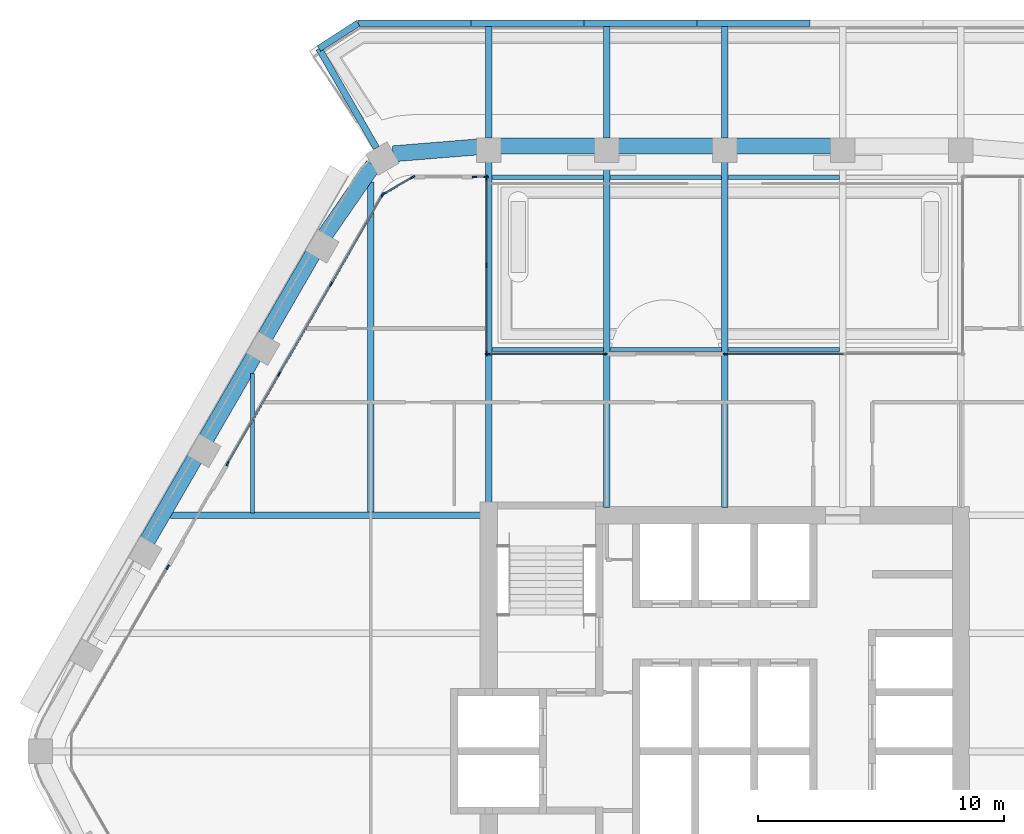
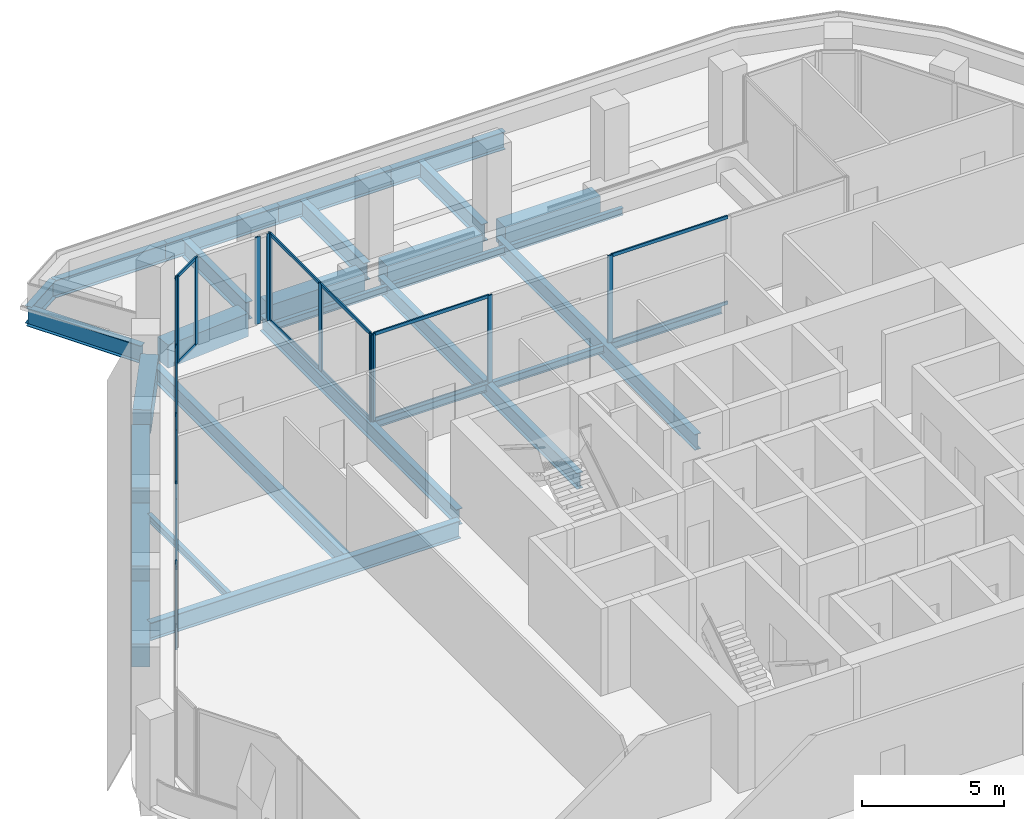
# One storey, part 6 of 17: 31 members, 29 beams, 7 elements without a shape of their own.
"""IFC4 building model written with IfcOpenShell, lengths in metres."""

from ifc_helpers import new_model, si_unit, direction, frame, origin, origin_2d, place, context, subcontext, project, spatial, rectangle, i_section, extrude, material, material_profile, profile_set, type_object, element, aggregate, save


model = new_model("IFC4")

# Units and contexts
model_context = context("Model", 3, precision=1e-05, world=origin(), true_north=direction((0.0, 1.0)))
body_context = subcontext(model_context, "Body", "Model", "MODEL_VIEW")
ifc_project = project(units=[si_unit("LENGTHUNIT", "METRE"), si_unit("AREAUNIT", "SQUARE_METRE"), si_unit("VOLUMEUNIT", "CUBIC_METRE"), si_unit("PLANEANGLEUNIT", "RADIAN"), si_unit("MASSUNIT", "GRAM", prefix="KILO")], contexts=[model_context])

# Site, building, storey
site_placement = place(None, origin())
site = spatial("IfcSite", under=ifc_project, at=site_placement, CompositionType="ELEMENT")
building_placement = place(site_placement, origin())
building = spatial("IfcBuilding", under=site, at=building_placement, Name="Kolab Exchange Tower", CompositionType="ELEMENT")
storey_placement = place(building_placement, frame((0.0, 0.0, 166.10009765625)))
storey = spatial("IfcBuildingStorey", under=building, at=storey_placement, Name="L34", CompositionType="ELEMENT", Elevation=166.10009765625)

# Beams
ifc_material_1 = material(Name="Steel S355", Category="steel")
ifc_material_profile_1 = material_profile(ifc_material_1, i_section(OverallWidth=0.1650390625, OverallDepth=0.31005859375, WebThickness=0.005859375, FlangeThickness=0.009765625, at=origin_2d()), Name="W310X39")
ifc_profile_set_1 = profile_set([ifc_material_profile_1], Name="Steel S355")
beam_type_1 = type_object("IfcBeamType", Name="FLOOR BEAM W310X39", PredefinedType="BEAM", material=ifc_profile_set_1)
beam_1_placement = place(storey_placement, frame((-19.199951171875, 9.693603515625, -0.30517578125), z_axis=(0.0, 1.0, 0.0), x_axis=(-1.0, 0.0, 0.0)))
element("IfcBeam", 1, at=beam_1_placement, inside=storey, type_object=beam_type_1, Name="beam/L34/fr/004", PredefinedType="BEAM", context=body_context, shape_type="SweptSolid", body=[
    extrude(i_section(OverallWidth=0.1650390625, OverallDepth=0.31005859375, WebThickness=0.005859375, FlangeThickness=0.009765625, at=origin_2d()), origin(), (0.0, 0.0, 1.0), 5.674072265625),
])
for number, where, z_axis, x_axis, name in (
    (2, (-9.472900390625, 16.346435546875, -0.30517578125), (1.0, 0.0, 0.0), (0.0, 1.0, 0.0), "beam/L34/fr/009"),
    (3, (-9.472900390625, 23.33642578125, -0.30517578125), (1.0, 0.0, 0.0), (0.0, 1.0, 0.0), "beam/L34/fr/010"),
):
    element("IfcBeam", number, at=place(storey_placement, frame(where, z_axis=z_axis, x_axis=x_axis)), inside=storey, type_object=beam_type_1, Name=name, PredefinedType="BEAM", context=body_context, shape_type="SweptSolid", body=[
        extrude(i_section(OverallWidth=0.1650390625, OverallDepth=0.31005859375, WebThickness=0.005859375, FlangeThickness=0.009765625, at=origin_2d()), origin(), (0.0, 0.0, 1.0), 4.5458984375),
    ])
for number, where, z_axis, x_axis, name in (
    (4, (-4.673095703125, 16.346435546875, -0.30517578125), (1.0, 0.0, 0.0), (0.0, 1.0, 0.0), "beam/L34/fr/013"),
    (5, (-4.673095703125, 23.33642578125, -0.30517578125), (1.0, 0.0, 0.0), (0.0, 1.0, 0.0), "beam/L34/fr/014"),
    (6, (0.126953125, 16.346435546875, -0.30517578125), (1.0, 0.0, 0.0), (0.0, 1.0, 0.0), "beam/L34/fr/017"),
    (7, (0.126953125, 23.33642578125, -0.30517578125), (1.0, 0.0, 0.0), (0.0, 1.0, 0.0), "beam/L34/fr/018"),
):
    element("IfcBeam", number, at=place(storey_placement, frame(where, z_axis=z_axis, x_axis=x_axis)), inside=storey, type_object=beam_type_1, Name=name, PredefinedType="BEAM", context=body_context, shape_type="SweptSolid", body=[
        extrude(i_section(OverallWidth=0.1650390625, OverallDepth=0.31005859375, WebThickness=0.005859375, FlangeThickness=0.009765625, at=origin_2d()), origin(), (0.0, 0.0, 1.0), 4.546142578125),
    ])
ifc_material_profile_2 = material_profile(ifc_material_1, i_section(OverallWidth=0.25390625, OverallDepth=0.68408203125, WebThickness=0.012451171875, FlangeThickness=0.018798828125, at=origin_2d()), Name="W690X140")
ifc_profile_set_2 = profile_set([ifc_material_profile_2], Name="Steel S355")
beam_type_2 = type_object("IfcBeamType", Name="FLOOR BEAM W690X140", PredefinedType="BEAM", material=ifc_profile_set_2)
beam_2_placement = place(storey_placement, frame((-14.39990234375, 9.693603515625, -0.4921875), z_axis=(0.0, 1.0, 0.0), x_axis=(-1.0, 0.0, 0.0)))
element("IfcBeam", 8, at=beam_2_placement, inside=storey, type_object=beam_type_2, Name="beam/L34/fr/006", PredefinedType="BEAM", context=body_context, shape_type="SweptSolid", body=[
    extrude(i_section(OverallWidth=0.25390625, OverallDepth=0.68408203125, WebThickness=0.012451171875, FlangeThickness=0.018798828125, at=origin_2d()), origin(), (0.0, 0.0, 1.0), 13.462158203125),
])
beam_3_placement = place(storey_placement, frame((-9.60009765625, 10.110107421875, -0.4921875), z_axis=(0.0, 1.0, 0.0), x_axis=(-1.0, 0.0, 0.0)))
element("IfcBeam", 9, at=beam_3_placement, inside=storey, type_object=beam_type_2, Name="beam/L34/fr/008", PredefinedType="BEAM", context=body_context, shape_type="SweptSolid", body=[
    extrude(i_section(OverallWidth=0.25390625, OverallDepth=0.68408203125, WebThickness=0.012451171875, FlangeThickness=0.018798828125, at=origin_2d()), origin(), (0.0, 0.0, 1.0), 13.871337890625),
])
for number, where, z_axis, x_axis, name in (
    (10, (-4.800048828125, 9.909912109375, -0.4921875), (0.0, 1.0, 0.0), (-1.0, 0.0, 0.0), "beam/L34/fr/012"),
    (11, (0.0, 9.909912109375, -0.4921875), (0.0, 1.0, 0.0), (-1.0, 0.0, 0.0), "beam/L34/fr/016"),
):
    element("IfcBeam", number, at=place(storey_placement, frame(where, z_axis=z_axis, x_axis=x_axis)), inside=storey, type_object=beam_type_2, Name=name, PredefinedType="BEAM", context=body_context, shape_type="SweptSolid", body=[
        extrude(i_section(OverallWidth=0.25390625, OverallDepth=0.68408203125, WebThickness=0.012451171875, FlangeThickness=0.018798828125, at=origin_2d()), origin(), (0.0, 0.0, 1.0), 14.071533203125),
    ])
ifc_material_profile_3 = material_profile(ifc_material_1, i_section(OverallWidth=0.26708984375, OverallDepth=0.761962890625, WebThickness=0.014404296875, FlangeThickness=0.021484375, at=origin_2d()), Name="W760X173")
ifc_profile_set_3 = profile_set([ifc_material_profile_3], Name="Steel S355")
beam_type_3 = type_object("IfcBeamType", Name="FLOOR GIRDER W760X173", PredefinedType="BEAM", material=ifc_profile_set_3)
beam_4_placement = place(storey_placement, frame((-22.546875, 9.60009765625, -0.531005859375), z_axis=(1.0, 0.0, 0.0), x_axis=(0.0, 1.0, 0.0)))
element("IfcBeam", 12, at=beam_4_placement, inside=storey, type_object=beam_type_3, Name="beam/L34/gd/001", PredefinedType="BEAM", context=body_context, shape_type="SweptSolid", body=[
    extrude(i_section(OverallWidth=0.26708984375, OverallDepth=0.761962890625, WebThickness=0.014404296875, FlangeThickness=0.021484375, at=origin_2d()), origin(), (0.0, 0.0, 1.0), 12.636962890625),
])
beam_5_placement = place(storey_placement, frame((-14.16796875, 24.53955078125, -0.591064453125), z_axis=(-0.500004747635, 0.866022662719, 0.0), x_axis=(-0.866022662719, -0.500004747635, 0.0)))
element("IfcBeam", 13, at=beam_5_placement, inside=storey, type_object=beam_type_3, Name="beam/L34/ledge/rib-00", PredefinedType="BEAM", context=body_context, shape_type="SweptSolid", body=[
    extrude(i_section(OverallWidth=0.26708984375, OverallDepth=0.761962890625, WebThickness=0.014404296875, FlangeThickness=0.021484375, at=origin_2d()), origin(), (0.0, 0.0, 1.0), 4.66650390625),
])
for number, where, z_axis, x_axis, name in (
    (14, (-9.60009765625, 24.94140625, -0.591064453125), (0.0, 1.0, 0.0), (-1.0, 0.0, 0.0), "beam/L34/ledge/rib-01"),
    (15, (-4.800048828125, 24.94140625, -0.591064453125), (0.0, 1.0, 0.0), (-1.0, 0.0, 0.0), "beam/L34/ledge/rib-02"),
    (16, (0.0, 24.94140625, -0.591064453125), (0.0, 1.0, 0.0), (-1.0, 0.0, 0.0), "beam/L34/ledge/rib-03"),
):
    element("IfcBeam", number, at=place(storey_placement, frame(where, z_axis=z_axis, x_axis=x_axis)), inside=storey, type_object=beam_type_3, Name=name, PredefinedType="BEAM", context=body_context, shape_type="SweptSolid", body=[
        extrude(i_section(OverallWidth=0.26708984375, OverallDepth=0.761962890625, WebThickness=0.014404296875, FlangeThickness=0.021484375, at=origin_2d()), origin(), (0.0, 0.0, 1.0), 4.533203125),
    ])
beam_6_placement = place(storey_placement, frame((-16.501220703125, 28.5810546875, -0.591064453125), z_axis=(0.839981802732, 0.542614569542, 0.0), x_axis=(-0.542614569542, 0.839981802732, 0.0)))
element("IfcBeam", 17, at=beam_6_placement, inside=storey, type_object=beam_type_3, Name="beam/L34/ledge/edge-00", PredefinedType="BEAM", context=body_context, shape_type="SweptSolid", body=[
    extrude(i_section(OverallWidth=0.26708984375, OverallDepth=0.761962890625, WebThickness=0.014404296875, FlangeThickness=0.021484375, at=origin_2d()), origin(), (0.0, 0.0, 1.0), 1.892333984375),
])
beam_7_placement = place(storey_placement, frame((-14.91162109375, 29.60791015625, -0.591064453125), z_axis=(1.0, 0.0, 0.0), x_axis=(0.0, 1.0, 0.0)))
element("IfcBeam", 18, at=beam_7_placement, inside=storey, type_object=beam_type_3, Name="beam/L34/ledge/edge-01", PredefinedType="BEAM", context=body_context, shape_type="SweptSolid", body=[
    extrude(i_section(OverallWidth=0.26708984375, OverallDepth=0.761962890625, WebThickness=0.014404296875, FlangeThickness=0.021484375, at=origin_2d()), origin(), (0.0, 0.0, 1.0), 4.593505859375),
])
for number, where, z_axis, x_axis, name in (
    (19, (-10.318115234375, 29.60791015625, -0.591064453125), (1.0, 0.0, 0.0), (0.0, 1.0, 0.0), "beam/L34/ledge/edge-02"),
    (20, (-5.724365234375, 29.60791015625, -0.591064453125), (1.0, 0.0, 0.0), (0.0, 1.0, 0.0), "beam/L34/ledge/edge-03"),
):
    element("IfcBeam", number, at=place(storey_placement, frame(where, z_axis=z_axis, x_axis=x_axis)), inside=storey, type_object=beam_type_3, Name=name, PredefinedType="BEAM", context=body_context, shape_type="SweptSolid", body=[
        extrude(i_section(OverallWidth=0.26708984375, OverallDepth=0.761962890625, WebThickness=0.014404296875, FlangeThickness=0.021484375, at=origin_2d()), origin(), (0.0, 0.0, 1.0), 4.59375),
    ])
beam_8_placement = place(storey_placement, frame((-1.130615234375, 29.60791015625, -0.591064453125), z_axis=(1.0, 0.0, 0.0), x_axis=(0.0, 1.0, 0.0)))
element("IfcBeam", 21, at=beam_8_placement, inside=storey, type_object=beam_type_3, Name="beam/L34/ledge/edge-04", PredefinedType="BEAM", context=body_context, shape_type="SweptSolid", body=[
    extrude(i_section(OverallWidth=0.26708984375, OverallDepth=0.761962890625, WebThickness=0.014404296875, FlangeThickness=0.021484375, at=origin_2d()), origin(), (0.0, 0.0, 1.0), 4.593505859375),
])
ifc_material_2 = material(Name="Concrete C60/75", Category="concrete")
ifc_material_profile_4 = material_profile(ifc_material_2, rectangle(XDim=0.64990234375, YDim=1.0, at=origin_2d()), Name="RC650X1000")
ifc_profile_set_4 = profile_set([ifc_material_profile_4], Name="Concrete C60/75")
beam_type_4 = type_object("IfcBeamType", Name="SPANDREL BEAM 650X1000 C60/75", PredefinedType="BEAM", material=ifc_profile_set_4)
beam_9_placement = place(storey_placement, frame((-13.493896484375, 24.2998046875, -0.650146484375), z_axis=(0.996708497182, 0.081068931445, 0.0), x_axis=(-0.081068931445, 0.996708497182, 0.0)))
element("IfcBeam", 22, at=beam_9_placement, inside=storey, type_object=beam_type_4, Name="beam/L34/sp/F1-01", PredefinedType="BEAM", context=body_context, shape_type="SweptSolid", body=[
    extrude(rectangle(XDim=0.64990234375, YDim=1.0, at=origin_2d()), origin(), (0.0, 0.0, 1.0), 3.445068359375),
])
beam_10_placement = place(storey_placement, frame((-9.139892578125, 24.616455078125, -0.650146484375), z_axis=(1.0, 0.0, 0.0), x_axis=(0.0, 1.0, 0.0)))
element("IfcBeam", 23, at=beam_10_placement, inside=storey, type_object=beam_type_4, Name="beam/L34/sp/F1-02", PredefinedType="BEAM", context=body_context, shape_type="SweptSolid", body=[
    extrude(rectangle(XDim=0.64990234375, YDim=1.0, at=origin_2d()), origin(), (0.0, 0.0, 1.0), 3.8798828125),
])
for number, where, z_axis, x_axis, name in (
    (24, (-4.340087890625, 24.616455078125, -0.650146484375), (1.0, 0.0, 0.0), (0.0, 1.0, 0.0), "beam/L34/sp/F1-03"),
    (25, (0.4599609375, 24.616455078125, -0.650146484375), (1.0, 0.0, 0.0), (0.0, 1.0, 0.0), "beam/L34/sp/F1-04"),
):
    element("IfcBeam", number, at=place(storey_placement, frame(where, z_axis=z_axis, x_axis=x_axis)), inside=storey, type_object=beam_type_4, Name=name, PredefinedType="BEAM", context=body_context, shape_type="SweptSolid", body=[
        extrude(rectangle(XDim=0.64990234375, YDim=1.0, at=origin_2d()), origin(), (0.0, 0.0, 1.0), 3.880126953125),
    ])
beam_11_placement = place(storey_placement, frame((-23.488525390625, 8.5498046875, -0.650146484375), z_axis=(0.499996613652, 0.866027358884, 0.0), x_axis=(-0.866027358884, 0.499996613652, 0.0)))
element("IfcBeam", 26, at=beam_11_placement, inside=storey, type_object=beam_type_4, Name="beam/L34/sp/F6-03", PredefinedType="BEAM", context=body_context, shape_type="SweptSolid", body=[
    extrude(rectangle(XDim=0.64990234375, YDim=1.0, at=origin_2d()), origin(), (0.0, 0.0, 1.0), 3.8798828125),
])
beam_12_placement = place(storey_placement, frame((-21.088623046875, 12.70654296875, -0.650146484375), z_axis=(0.50001655835, 0.866015843605, 0.0), x_axis=(-0.866015843605, 0.50001655835, 0.0)))
element("IfcBeam", 27, at=beam_12_placement, inside=storey, type_object=beam_type_4, Name="beam/L34/sp/F6-04", PredefinedType="BEAM", context=body_context, shape_type="SweptSolid", body=[
    extrude(rectangle(XDim=0.64990234375, YDim=1.0, at=origin_2d()), origin(), (0.0, 0.0, 1.0), 3.880126953125),
])
beam_13_placement = place(storey_placement, frame((-18.6884765625, 16.863525390625, -0.650146484375), z_axis=(0.499996613652, 0.866027358884, 0.0), x_axis=(-0.866027358884, 0.499996613652, 0.0)))
element("IfcBeam", 28, at=beam_13_placement, inside=storey, type_object=beam_type_4, Name="beam/L34/sp/F6-05", PredefinedType="BEAM", context=body_context, shape_type="SweptSolid", body=[
    extrude(rectangle(XDim=0.64990234375, YDim=1.0, at=origin_2d()), origin(), (0.0, 0.0, 1.0), 3.8798828125),
])
beam_14_placement = place(storey_placement, frame((-16.256103515625, 21.001953125, -0.650146484375), z_axis=(0.568572281073, 0.822633309073, 0.0), x_axis=(-0.822633309073, 0.568572281073, 0.0)))
element("IfcBeam", 29, at=beam_14_placement, inside=storey, type_object=beam_type_4, Name="beam/L34/sp/F6-06", PredefinedType="BEAM", context=body_context, shape_type="SweptSolid", body=[
    extrude(rectangle(XDim=0.64990234375, YDim=1.0, at=origin_2d()), origin(), (0.0, 0.0, 1.0), 3.445068359375),
])

# Curtain wall, members
ifc_material_3 = material(Name="Aluminium EN AW-6063 T6", Category="aluminium")
curtain_wall_type = type_object("IfcCurtainWallType", Name="UNITISED UPPER MID ZONE CURTAIN WALL", PredefinedType="NOTDEFINED", material=ifc_material_3)
curtain_wall_1_placement = place(storey_placement, origin())
curtain_wall_1 = element("IfcCurtainWall", 30, at=curtain_wall_1_placement, inside=storey, type_object=curtain_wall_type, Name="cw/L34/F1-l-1", PredefinedType="NOTDEFINED")
ifc_material_profile_5 = material_profile(ifc_material_3, rectangle(XDim=0.06005859375, YDim=0.199951171875, at=origin_2d()), Name="RECT 60X200")
ifc_profile_set_5 = profile_set([ifc_material_profile_5], Name="Aluminium EN AW-6063 T6")
member_type_1 = type_object("IfcMemberType", Name="UNITISED UPPER MID ZONE MULLION 60 X 200", PredefinedType="MULLION", material=ifc_profile_set_5)
member_1_placement = place(storey_placement, frame((-10.177978515625, 23.361572265625, 0.0), z_axis=(0.0, 0.0, 1.0), x_axis=(0.0, 1.0, 0.0)))
member_1 = element("IfcMember", 31, at=member_1_placement, type_object=member_type_1, Name="CW3 mullion 1", PredefinedType="MULLION", context=body_context, shape_type="SweptSolid", body=[
    extrude(rectangle(XDim=0.06005859375, YDim=0.199951171875, at=origin_2d()), origin(), (0.0, 0.0, 1.0), 3.75),
])
member_2_placement = place(storey_placement, frame((-9.7099609375, 23.361572265625, 0.0), z_axis=(0.0, 0.0, 1.0), x_axis=(0.0, 1.0, 0.0)))
member_2 = element("IfcMember", 32, at=member_2_placement, type_object=member_type_1, Name="CW3 mullion 2", PredefinedType="MULLION", context=body_context, shape_type="SweptSolid", body=[
    extrude(rectangle(XDim=0.06005859375, YDim=0.199951171875, at=origin_2d()), origin(), (0.0, 0.0, 1.0), 3.75),
])
aggregate(curtain_wall_1, [member_1, member_2])

curtain_wall_2_placement = place(storey_placement, origin())
curtain_wall_2 = element("IfcCurtainWall", 33, at=curtain_wall_2_placement, inside=storey, type_object=curtain_wall_type, Name="cw/L34/F1-rl-1", PredefinedType="NOTDEFINED")
member_3_placement = place(storey_placement, frame((-9.679931640625, 23.33154296875, 0.0), z_axis=(0.0, 0.0, 1.0), x_axis=(1.0, 0.0, 0.0)))
member_3 = element("IfcMember", 34, at=member_3_placement, type_object=member_type_1, Name="CW3 mullion 1", PredefinedType="MULLION", context=body_context, shape_type="SweptSolid", body=[
    extrude(rectangle(XDim=0.06005859375, YDim=0.199951171875, at=origin_2d()), origin(), (0.0, 0.0, 1.0), 3.75),
])
member_4_placement = place(storey_placement, frame((-9.679931640625, 19.761474609375, 0.0), z_axis=(0.0, 0.0, 1.0), x_axis=(1.0, 0.0, 0.0)))
member_4 = element("IfcMember", 35, at=member_4_placement, type_object=member_type_1, Name="CW3 mullion 2", PredefinedType="MULLION", context=body_context, shape_type="SweptSolid", body=[
    extrude(rectangle(XDim=0.06005859375, YDim=0.199951171875, at=origin_2d()), origin(), (0.0, 0.0, 1.0), 3.75),
])
member_5_placement = place(storey_placement, frame((-9.679931640625, 16.191650390625, 0.0), z_axis=(0.0, 0.0, 1.0), x_axis=(1.0, 0.0, 0.0)))
member_5 = element("IfcMember", 36, at=member_5_placement, type_object=member_type_1, Name="CW3 mullion 3", PredefinedType="MULLION", context=body_context, shape_type="SweptSolid", body=[
    extrude(rectangle(XDim=0.06005859375, YDim=0.199951171875, at=origin_2d()), origin(), (0.0, 0.0, 1.0), 3.75),
])

curtain_wall_3_placement = place(storey_placement, origin())
curtain_wall_3 = element("IfcCurtainWall", 37, at=curtain_wall_3_placement, inside=storey, type_object=curtain_wall_type, Name="cw/L34/F1-back-1", PredefinedType="NOTDEFINED")
member_6_placement = place(storey_placement, frame((-9.64990234375, 16.16162109375, 0.0), z_axis=(0.0, 0.0, 1.0), x_axis=(0.0, 1.0, 0.0)))
member_6 = element("IfcMember", 38, at=member_6_placement, type_object=member_type_1, Name="CW3 mullion 1", PredefinedType="MULLION", context=body_context, shape_type="SweptSolid", body=[
    extrude(rectangle(XDim=0.06005859375, YDim=0.199951171875, at=origin_2d()), origin(), (0.0, 0.0, 1.0), 3.75),
])
member_7_placement = place(storey_placement, frame((-4.8701171875, 16.16162109375, 0.0), z_axis=(0.0, 0.0, 1.0), x_axis=(0.0, 1.0, 0.0)))
member_7 = element("IfcMember", 39, at=member_7_placement, type_object=member_type_1, Name="CW3 mullion 2", PredefinedType="MULLION", context=body_context, shape_type="SweptSolid", body=[
    extrude(rectangle(XDim=0.06005859375, YDim=0.199951171875, at=origin_2d()), origin(), (0.0, 0.0, 1.0), 3.75),
])

# Curtain wall, member
curtain_wall_4_placement = place(storey_placement, origin())
curtain_wall_4 = element("IfcCurtainWall", 40, at=curtain_wall_4_placement, inside=storey, type_object=curtain_wall_type, Name="cw/L34/F1-back-2", PredefinedType="NOTDEFINED")
member_8_placement = place(storey_placement, frame((0.030029296875, 16.16162109375, 0.0), z_axis=(0.0, 0.0, 1.0), x_axis=(0.0, 1.0, 0.0)))
member_8 = element("IfcMember", 41, at=member_8_placement, type_object=member_type_1, Name="CW3 mullion 1", PredefinedType="MULLION", context=body_context, shape_type="SweptSolid", body=[
    extrude(rectangle(XDim=0.06005859375, YDim=0.199951171875, at=origin_2d()), origin(), (0.0, 0.0, 1.0), 3.75),
])

curtain_wall_5_placement = place(storey_placement, origin())
curtain_wall_5 = element("IfcCurtainWall", 42, at=curtain_wall_5_placement, inside=storey, type_object=curtain_wall_type, Name="cw/L34/F6-1", PredefinedType="NOTDEFINED")
member_9_placement = place(storey_placement, frame((-22.646728515625, 7.497802734375, 0.0), z_axis=(0.0, 0.0, 1.0), x_axis=(-0.866025440524, 0.499999936366, 0.0)))
member_9 = element("IfcMember", 43, at=member_9_placement, type_object=member_type_1, Name="CW3 mullion 3", PredefinedType="MULLION", context=body_context, shape_type="SweptSolid", body=[
    extrude(rectangle(XDim=0.06005859375, YDim=0.199951171875, at=origin_2d()), origin(), (0.0, 0.0, 1.0), 3.75),
])
aggregate(curtain_wall_5, [member_9])

# Curtain wall, members
curtain_wall_6_placement = place(storey_placement, origin())
curtain_wall_6 = element("IfcCurtainWall", 44, at=curtain_wall_6_placement, inside=storey, type_object=curtain_wall_type, Name="cw/L34/F6-2", PredefinedType="NOTDEFINED")
member_10_placement = place(storey_placement, frame((-20.216796875, 11.706787109375, 0.0), z_axis=(0.0, 0.0, 1.0), x_axis=(-0.866025393644, 0.500000017564, 0.0)))
member_10 = element("IfcMember", 45, at=member_10_placement, type_object=member_type_1, Name="CW3 mullion 1", PredefinedType="MULLION", context=body_context, shape_type="SweptSolid", body=[
    extrude(rectangle(XDim=0.06005859375, YDim=0.199951171875, at=origin_2d()), origin(), (0.0, 0.0, 1.0), 3.75),
])
member_11_placement = place(storey_placement, frame((-18.120361328125, 15.337646484375, 0.0), z_axis=(0.0, 0.0, 1.0), x_axis=(-0.866025393644, 0.500000017564, 0.0)))
member_11 = element("IfcMember", 46, at=member_11_placement, type_object=member_type_1, Name="CW3 mullion 2", PredefinedType="MULLION", context=body_context, shape_type="SweptSolid", body=[
    extrude(rectangle(XDim=0.06005859375, YDim=0.199951171875, at=origin_2d()), origin(), (0.0, 0.0, 1.0), 3.75),
])
member_12_placement = place(storey_placement, frame((-16.009033203125, 18.99462890625, 0.0), z_axis=(0.0, 0.0, 1.0), x_axis=(-0.866025393644, 0.500000017564, 0.0)))
member_12 = element("IfcMember", 47, at=member_12_placement, type_object=member_type_1, Name="CW3 mullion 3", PredefinedType="MULLION", context=body_context, shape_type="SweptSolid", body=[
    extrude(rectangle(XDim=0.06005859375, YDim=0.199951171875, at=origin_2d()), origin(), (0.0, 0.0, 1.0), 3.75),
])
member_13_placement = place(storey_placement, frame((-13.91259765625, 22.62548828125, 0.0), z_axis=(0.0, 0.0, 1.0), x_axis=(-0.866025393644, 0.500000017564, 0.0)))
member_13 = element("IfcMember", 48, at=member_13_placement, type_object=member_type_1, Name="CW3 mullion 4", PredefinedType="MULLION", context=body_context, shape_type="SweptSolid", body=[
    extrude(rectangle(XDim=0.06005859375, YDim=0.199951171875, at=origin_2d()), origin(), (0.0, 0.0, 1.0), 3.75),
])

curtain_wall_7_placement = place(storey_placement, origin())
curtain_wall_7 = element("IfcCurtainWall", 49, at=curtain_wall_7_placement, inside=storey, type_object=curtain_wall_type, Name="cw/L34/F6F1-corner", PredefinedType="NOTDEFINED")
member_14_placement = place(storey_placement, frame((-13.871826171875, 22.66650390625, 0.0), z_axis=(0.0, 0.0, 1.0), x_axis=(-0.50000002237, 0.866025390869, 0.0)))
member_14 = element("IfcMember", 50, at=member_14_placement, type_object=member_type_1, Name="CW3 mullion 1", PredefinedType="MULLION", context=body_context, shape_type="SweptSolid", body=[
    extrude(rectangle(XDim=0.06005859375, YDim=0.199951171875, at=origin_2d()), origin(), (0.0, 0.0, 1.0), 3.75),
])
member_15_placement = place(storey_placement, frame((-12.69384765625, 23.346435546875, 0.0), z_axis=(0.0, 0.0, 1.0), x_axis=(-0.50000002237, 0.866025390869, 0.0)))
member_15 = element("IfcMember", 51, at=member_15_placement, type_object=member_type_1, Name="CW3 mullion 2", PredefinedType="MULLION", context=body_context, shape_type="SweptSolid", body=[
    extrude(rectangle(XDim=0.06005859375, YDim=0.199951171875, at=origin_2d()), origin(), (0.0, 0.0, 1.0), 3.75),
])

# Member
ifc_material_profile_6 = material_profile(ifc_material_3, rectangle(XDim=0.06005859375, YDim=0.139892578125, at=origin_2d()), Name="RECT 60X140")
ifc_profile_set_6 = profile_set([ifc_material_profile_6], Name="Aluminium EN AW-6063 T6")
member_type_2 = type_object("IfcMemberType", Name="UNITISED UPPER MID ZONE TRANSOM 60 X 140", PredefinedType="USERDEFINED", material=ifc_profile_set_6)
member_16_placement = place(storey_placement, frame((-9.679931640625, 23.301513671875, 0.02978515625), z_axis=(0.0, -1.0, 0.0), x_axis=(1.0, 0.0, 0.0)))
member_16 = element("IfcMember", 52, at=member_16_placement, type_object=member_type_2, Name="CW3 transom 1.1", ObjectType="TRANSOM", PredefinedType="USERDEFINED", context=body_context, shape_type="SweptSolid", body=[
    extrude(rectangle(XDim=0.06005859375, YDim=0.139892578125, at=origin_2d()), origin(), (0.0, 0.0, 1.0), 3.510009765625),
])

member_17_placement = place(storey_placement, frame((-9.679931640625, 23.301513671875, 3.719970703125), z_axis=(0.0, -1.0, 0.0), x_axis=(1.0, 0.0, 0.0)))
member_17 = element("IfcMember", 53, at=member_17_placement, type_object=member_type_2, Name="CW3 transom 1.2", ObjectType="TRANSOM", PredefinedType="USERDEFINED", context=body_context, shape_type="SweptSolid", body=[
    extrude(rectangle(XDim=0.06005859375, YDim=0.139892578125, at=origin_2d()), origin(), (0.0, 0.0, 1.0), 3.510009765625),
])

member_18_placement = place(storey_placement, frame((-9.679931640625, 19.7314453125, 0.02978515625), z_axis=(0.0, -1.0, 0.0), x_axis=(1.0, 0.0, 0.0)))
member_18 = element("IfcMember", 54, at=member_18_placement, type_object=member_type_2, Name="CW3 transom 2.1", ObjectType="TRANSOM", PredefinedType="USERDEFINED", context=body_context, shape_type="SweptSolid", body=[
    extrude(rectangle(XDim=0.06005859375, YDim=0.139892578125, at=origin_2d()), origin(), (0.0, 0.0, 1.0), 3.510009765625),
])

member_19_placement = place(storey_placement, frame((-9.679931640625, 19.7314453125, 3.719970703125), z_axis=(0.0, -1.0, 0.0), x_axis=(1.0, 0.0, 0.0)))
member_19 = element("IfcMember", 55, at=member_19_placement, type_object=member_type_2, Name="CW3 transom 2.2", ObjectType="TRANSOM", PredefinedType="USERDEFINED", context=body_context, shape_type="SweptSolid", body=[
    extrude(rectangle(XDim=0.06005859375, YDim=0.139892578125, at=origin_2d()), origin(), (0.0, 0.0, 1.0), 3.510009765625),
])

aggregate(curtain_wall_2, [member_3, member_4, member_5, member_16, member_17, member_18, member_19])

member_20_placement = place(storey_placement, frame((-9.6201171875, 16.16162109375, 0.02978515625), z_axis=(1.0, 0.0, 0.0), x_axis=(0.0, 1.0, 0.0)))
member_20 = element("IfcMember", 56, at=member_20_placement, type_object=member_type_2, Name="CW3 transom 1.1", ObjectType="TRANSOM", PredefinedType="USERDEFINED", context=body_context, shape_type="SweptSolid", body=[
    extrude(rectangle(XDim=0.06005859375, YDim=0.139892578125, at=origin_2d()), origin(), (0.0, 0.0, 1.0), 4.72021484375),
])

member_21_placement = place(storey_placement, frame((-9.6201171875, 16.16162109375, 3.719970703125), z_axis=(1.0, 0.0, 0.0), x_axis=(0.0, 1.0, 0.0)))
member_21 = element("IfcMember", 57, at=member_21_placement, type_object=member_type_2, Name="CW3 transom 1.2", ObjectType="TRANSOM", PredefinedType="USERDEFINED", context=body_context, shape_type="SweptSolid", body=[
    extrude(rectangle(XDim=0.06005859375, YDim=0.139892578125, at=origin_2d()), origin(), (0.0, 0.0, 1.0), 4.72021484375),
])

aggregate(curtain_wall_3, [member_6, member_7, member_20, member_21])

member_22_placement = place(storey_placement, frame((0.06005859375, 16.16162109375, 0.02978515625), z_axis=(1.0, 0.0, 0.0), x_axis=(0.0, 1.0, 0.0)))
member_22 = element("IfcMember", 58, at=member_22_placement, type_object=member_type_2, Name="CW3 transom 1.1", ObjectType="TRANSOM", PredefinedType="USERDEFINED", context=body_context, shape_type="SweptSolid", body=[
    extrude(rectangle(XDim=0.06005859375, YDim=0.139892578125, at=origin_2d()), origin(), (0.0, 0.0, 1.0), 4.75),
])

member_23_placement = place(storey_placement, frame((0.06005859375, 16.16162109375, 3.719970703125), z_axis=(1.0, 0.0, 0.0), x_axis=(0.0, 1.0, 0.0)))
member_23 = element("IfcMember", 59, at=member_23_placement, type_object=member_type_2, Name="CW3 transom 1.2", ObjectType="TRANSOM", PredefinedType="USERDEFINED", context=body_context, shape_type="SweptSolid", body=[
    extrude(rectangle(XDim=0.06005859375, YDim=0.139892578125, at=origin_2d()), origin(), (0.0, 0.0, 1.0), 4.75),
])

aggregate(curtain_wall_4, [member_8, member_22, member_23])

member_24_placement = place(storey_placement, frame((-20.20166015625, 11.732666015625, 0.02978515625), z_axis=(0.500001996123, 0.866024251319, 0.0), x_axis=(-0.866024251319, 0.500001996123, 0.0)))
member_24 = element("IfcMember", 60, at=member_24_placement, type_object=member_type_2, Name="CW3 transom 1.1", ObjectType="TRANSOM", PredefinedType="USERDEFINED", context=body_context, shape_type="SweptSolid", body=[
    extrude(rectangle(XDim=0.06005859375, YDim=0.139892578125, at=origin_2d()), origin(), (0.0, 0.0, 1.0), 4.1328125),
])

member_25_placement = place(storey_placement, frame((-20.20166015625, 11.732666015625, 3.719970703125), z_axis=(0.500001996123, 0.866024251319, 0.0), x_axis=(-0.866024251319, 0.500001996123, 0.0)))
member_25 = element("IfcMember", 61, at=member_25_placement, type_object=member_type_2, Name="CW3 transom 1.2", ObjectType="TRANSOM", PredefinedType="USERDEFINED", context=body_context, shape_type="SweptSolid", body=[
    extrude(rectangle(XDim=0.06005859375, YDim=0.139892578125, at=origin_2d()), origin(), (0.0, 0.0, 1.0), 4.1328125),
])

member_26_placement = place(storey_placement, frame((-18.10546875, 15.36376953125, 0.02978515625), z_axis=(0.500037208726, 0.86600392025, 0.0), x_axis=(-0.86600392025, 0.500037208726, 0.0)))
member_26 = element("IfcMember", 62, at=member_26_placement, type_object=member_type_2, Name="CW3 transom 2.1", ObjectType="TRANSOM", PredefinedType="USERDEFINED", context=body_context, shape_type="SweptSolid", body=[
    extrude(rectangle(XDim=0.06005859375, YDim=0.139892578125, at=origin_2d()), origin(), (0.0, 0.0, 1.0), 4.162841796875),
])

member_27_placement = place(storey_placement, frame((-18.10546875, 15.36376953125, 3.719970703125), z_axis=(0.500037208726, 0.86600392025, 0.0), x_axis=(-0.86600392025, 0.500037208726, 0.0)))
member_27 = element("IfcMember", 63, at=member_27_placement, type_object=member_type_2, Name="CW3 transom 2.2", ObjectType="TRANSOM", PredefinedType="USERDEFINED", context=body_context, shape_type="SweptSolid", body=[
    extrude(rectangle(XDim=0.06005859375, YDim=0.139892578125, at=origin_2d()), origin(), (0.0, 0.0, 1.0), 4.162841796875),
])

member_28_placement = place(storey_placement, frame((-15.994140625, 19.0205078125, 0.02978515625), z_axis=(0.500001996123, 0.866024251319, 0.0), x_axis=(-0.866024251319, 0.500001996123, 0.0)))
member_28 = element("IfcMember", 64, at=member_28_placement, type_object=member_type_2, Name="CW3 transom 3.1", ObjectType="TRANSOM", PredefinedType="USERDEFINED", context=body_context, shape_type="SweptSolid", body=[
    extrude(rectangle(XDim=0.06005859375, YDim=0.139892578125, at=origin_2d()), origin(), (0.0, 0.0, 1.0), 4.1328125),
])

member_29_placement = place(storey_placement, frame((-15.994140625, 19.0205078125, 3.719970703125), z_axis=(0.500001996123, 0.866024251319, 0.0), x_axis=(-0.866024251319, 0.500001996123, 0.0)))
member_29 = element("IfcMember", 65, at=member_29_placement, type_object=member_type_2, Name="CW3 transom 3.2", ObjectType="TRANSOM", PredefinedType="USERDEFINED", context=body_context, shape_type="SweptSolid", body=[
    extrude(rectangle(XDim=0.06005859375, YDim=0.139892578125, at=origin_2d()), origin(), (0.0, 0.0, 1.0), 4.1328125),
])

aggregate(curtain_wall_6, [member_10, member_11, member_12, member_13, member_24, member_25, member_26, member_27, member_28, member_29])

member_30_placement = place(storey_placement, frame((-13.845703125, 22.681640625, 0.02978515625), z_axis=(0.86603858612, 0.49997716683, 0.0), x_axis=(-0.49997716683, 0.86603858612, 0.0)))
member_30 = element("IfcMember", 66, at=member_30_placement, type_object=member_type_2, Name="CW3 transom 1.1", ObjectType="TRANSOM", PredefinedType="USERDEFINED", context=body_context, shape_type="SweptSolid", body=[
    extrude(rectangle(XDim=0.06005859375, YDim=0.139892578125, at=origin_2d()), origin(), (0.0, 0.0, 1.0), 1.2998046875),
])

member_31_placement = place(storey_placement, frame((-13.845703125, 22.681640625, 3.719970703125), z_axis=(0.86603858612, 0.49997716683, 0.0), x_axis=(-0.49997716683, 0.86603858612, 0.0)))
member_31 = element("IfcMember", 67, at=member_31_placement, type_object=member_type_2, Name="CW3 transom 1.2", ObjectType="TRANSOM", PredefinedType="USERDEFINED", context=body_context, shape_type="SweptSolid", body=[
    extrude(rectangle(XDim=0.06005859375, YDim=0.139892578125, at=origin_2d()), origin(), (0.0, 0.0, 1.0), 1.2998046875),
])

aggregate(curtain_wall_7, [member_14, member_15, member_30, member_31])

save(model, "model.ifc")
